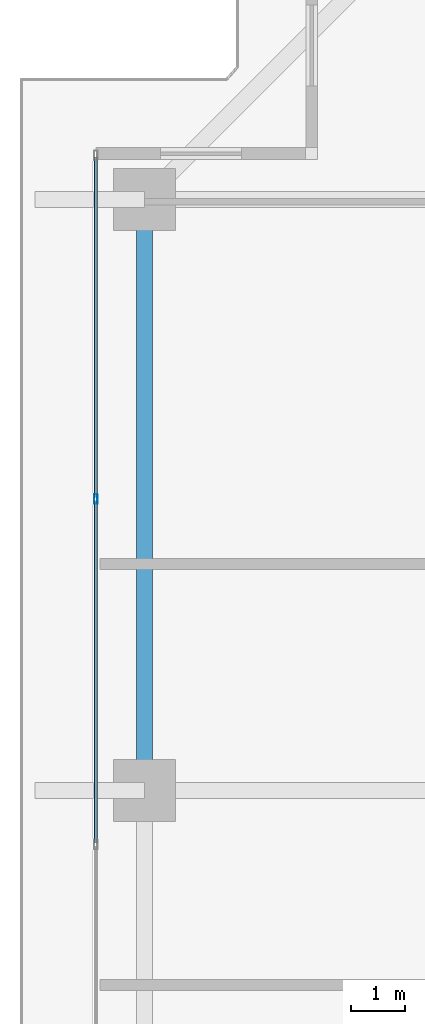
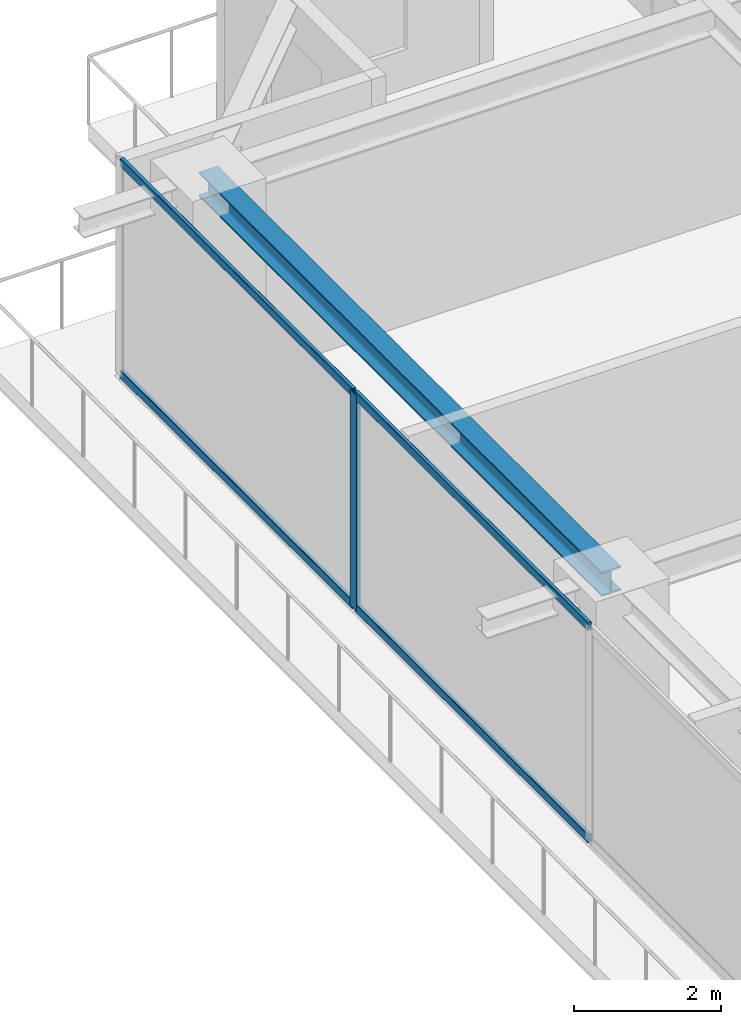
# One storey, part 16 of 38: 5 members, 1 beam, 1 element without a shape of its own.
"""IFC4 building model written with IfcOpenShell, lengths in metres."""

from ifc_helpers import new_model, si_unit, direction, frame, origin, origin_2d, place, context, subcontext, project, spatial, hollow_rectangle, i_section, extrude, source, transform, mapped, material, layer, layer_set, material_profile, profile_set, type_object, element, aggregate, save


model = new_model("IFC4")

# Units and contexts
model_context = context("Model", 3, precision=1e-05, world=origin(), true_north=direction((0.0, 1.0)))
body_context = subcontext(model_context, "Body", "Model", "MODEL_VIEW")
ifc_project = project(units=[si_unit("LENGTHUNIT", "METRE"), si_unit("AREAUNIT", "SQUARE_METRE"), si_unit("VOLUMEUNIT", "CUBIC_METRE"), si_unit("PLANEANGLEUNIT", "RADIAN"), si_unit("MASSUNIT", "GRAM", prefix="KILO")], contexts=[model_context])

# Site, building, storey
site_placement = place(None, origin())
site = spatial("IfcSite", under=ifc_project, at=site_placement, CompositionType="ELEMENT")
building_placement = place(site_placement, origin())
building = spatial("IfcBuilding", under=site, at=building_placement, Name="Serunith Strait Residences", CompositionType="ELEMENT")
storey_placement = place(building_placement, frame((0.0, 0.0, 245.10009765625)))
storey = spatial("IfcBuildingStorey", under=building, at=storey_placement, Name="L61", CompositionType="ELEMENT", Elevation=245.10009765625)

# Beam
ifc_material_1 = material(Name="Steel S355J2", Category="steel")
ifc_material_profile_1 = material_profile(ifc_material_1, i_section(OverallWidth=0.300048828125, OverallDepth=0.39990234375, WebThickness=0.013427734375, FlangeThickness=0.02392578125, FilletRadius=0.027099609375, at=origin_2d()), Name="HEB 400")
ifc_profile_set_1 = profile_set([ifc_material_profile_1], Name="Steel S355J2")
beam_type = type_object("IfcBeamType", Name="BM-HEB400", PredefinedType="BEAM", material=ifc_profile_set_1)
shared_shape_1 = source(origin(), body_context, "Body", "SweptSolid", [
    extrude(i_section(OverallWidth=0.300048828125, OverallDepth=0.39990234375, WebThickness=0.013427734375, FlangeThickness=0.02392578125, FilletRadius=0.027099609375, at=origin_2d()), origin(), (0.0, 0.0, 1.0), 10.9501953125),
])
beam_placement = place(storey_placement, frame((8.300048828125, 40.35009765625, 3.386962890625), z_axis=(0.0, -1.0, 0.0), x_axis=(1.0, 0.0, 0.0)))
element("IfcBeam", 1, at=beam_placement, inside=storey, type_object=beam_type, Name="L61 Perimeter Ring Beam 13", PredefinedType="BEAM", context=body_context, shape_type="MappedRepresentation", body=[
    mapped(shared_shape_1, transform((0.0, 0.0, 0.0), scale=1.0)),
])

# Curtain wall, members
ifc_material_2 = material(Name="Pale-Champagne Anodised Aluminium", Category="aluminium")
ifc_layer = layer(ifc_material_2, 0.199951171875, Name="Pale-Champagne Anodised Aluminium")
ifc_layer_set = layer_set([ifc_layer], Name="Pale-Champagne Anodised Aluminium")
curtain_wall_type = type_object("IfcCurtainWallType", Name="CW-SYS4", PredefinedType="NOTDEFINED", material=ifc_layer_set)
curtain_wall_placement = place(storey_placement, origin())
curtain_wall = element("IfcCurtainWall", 2, at=curtain_wall_placement, inside=storey, type_object=curtain_wall_type, Name="L61 W Unitised Fritted Curtain Wall", PredefinedType="NOTDEFINED")
ifc_material_profile_2 = material_profile(ifc_material_2, hollow_rectangle(XDim=0.06494140625, YDim=0.179931640625, WallThickness=0.00341796875, InnerFilletRadius=0.00537109375, OuterFilletRadius=0.0087890625, at=origin_2d()), Name="ALU 180x65x3.5")
ifc_profile_set_2 = profile_set([ifc_material_profile_2], Name="Pale-Champagne Anodised Aluminium")
member_type_1 = type_object("IfcMemberType", Name="CW-SYS4-MULL", PredefinedType="MULLION", material=ifc_profile_set_2)
shared_shape_2 = source(origin(), body_context, "Body", "SweptSolid", [
    extrude(hollow_rectangle(XDim=0.06494140625, YDim=0.179931640625, WallThickness=0.00341796875, InnerFilletRadius=0.00537109375, OuterFilletRadius=0.0087890625, at=origin_2d()), origin(), (0.0, 0.0, 1.0), 3.574951171875),
])
member_1_placement = place(storey_placement, frame((7.39990234375, 34.800048828125, 0.0), z_axis=(0.0, 0.0, 1.0), x_axis=(1.0, 0.0, 0.0)))
member_1 = element("IfcMember", 3, at=member_1_placement, type_object=member_type_1, Name="CW-4 mullion 2", PredefinedType="MULLION", context=body_context, shape_type="MappedRepresentation", body=[
    mapped(shared_shape_2, transform((0.0, 0.0, 0.0), scale=1.0)),
])
ifc_material_profile_3 = material_profile(ifc_material_2, hollow_rectangle(XDim=0.06005859375, YDim=0.139892578125, WallThickness=0.00341796875, InnerFilletRadius=0.00537109375, OuterFilletRadius=0.0087890625, at=origin_2d()), Name="ALU 140x60x3.5")
ifc_profile_set_3 = profile_set([ifc_material_profile_3], Name="Pale-Champagne Anodised Aluminium")
member_type_2 = type_object("IfcMemberType", Name="CW-SYS4-TRAN", PredefinedType="USERDEFINED", material=ifc_profile_set_3)
shared_shape_3 = source(origin(), body_context, "Body", "SweptSolid", [
    extrude(hollow_rectangle(XDim=0.06005859375, YDim=0.139892578125, WallThickness=0.00341796875, InnerFilletRadius=0.00537109375, OuterFilletRadius=0.0087890625, at=origin_2d()), origin(), (0.0, 0.0, 1.0), 6.302490234375),
])
member_2_placement = place(storey_placement, frame((7.39990234375, 41.135009765625, 0.02978515625), z_axis=(0.0, -1.0, 0.0), x_axis=(1.0, 0.0, 0.0)))
member_2 = element("IfcMember", 4, at=member_2_placement, type_object=member_type_2, Name="CW-4 transom 1.1", ObjectType="TRANSOM", PredefinedType="USERDEFINED", context=body_context, shape_type="MappedRepresentation", body=[
    mapped(shared_shape_3, transform((0.0, 0.0, 0.0), scale=1.0)),
])
member_3_placement = place(storey_placement, frame((7.39990234375, 41.135009765625, 3.544921875), z_axis=(0.0, -1.0, 0.0), x_axis=(1.0, 0.0, 0.0)))
member_3 = element("IfcMember", 5, at=member_3_placement, type_object=member_type_2, Name="CW-4 transom 1.2", ObjectType="TRANSOM", PredefinedType="USERDEFINED", context=body_context, shape_type="MappedRepresentation", body=[
    mapped(shared_shape_3, transform((0.0, 0.0, 0.0), scale=1.0)),
])
shared_shape_4 = source(origin(), body_context, "Body", "SweptSolid", [
    extrude(hollow_rectangle(XDim=0.06005859375, YDim=0.139892578125, WallThickness=0.00341796875, InnerFilletRadius=0.00537109375, OuterFilletRadius=0.0087890625, at=origin_2d()), origin(), (0.0, 0.0, 1.0), 6.3349609375),
])
member_4_placement = place(storey_placement, frame((7.39990234375, 34.767578125, 0.02978515625), z_axis=(0.0, -1.0, 0.0), x_axis=(1.0, 0.0, 0.0)))
member_4 = element("IfcMember", 6, at=member_4_placement, type_object=member_type_2, Name="CW-4 transom 2.1", ObjectType="TRANSOM", PredefinedType="USERDEFINED", context=body_context, shape_type="MappedRepresentation", body=[
    mapped(shared_shape_4, transform((0.0, 0.0, 0.0), scale=1.0)),
])
member_5_placement = place(storey_placement, frame((7.39990234375, 34.767578125, 3.544921875), z_axis=(0.0, -1.0, 0.0), x_axis=(1.0, 0.0, 0.0)))
member_5 = element("IfcMember", 7, at=member_5_placement, type_object=member_type_2, Name="CW-4 transom 2.2", ObjectType="TRANSOM", PredefinedType="USERDEFINED", context=body_context, shape_type="MappedRepresentation", body=[
    mapped(shared_shape_4, transform((0.0, 0.0, 0.0), scale=1.0)),
])
aggregate(curtain_wall, [member_1, member_2, member_3, member_4, member_5])

save(model, "model.ifc")
